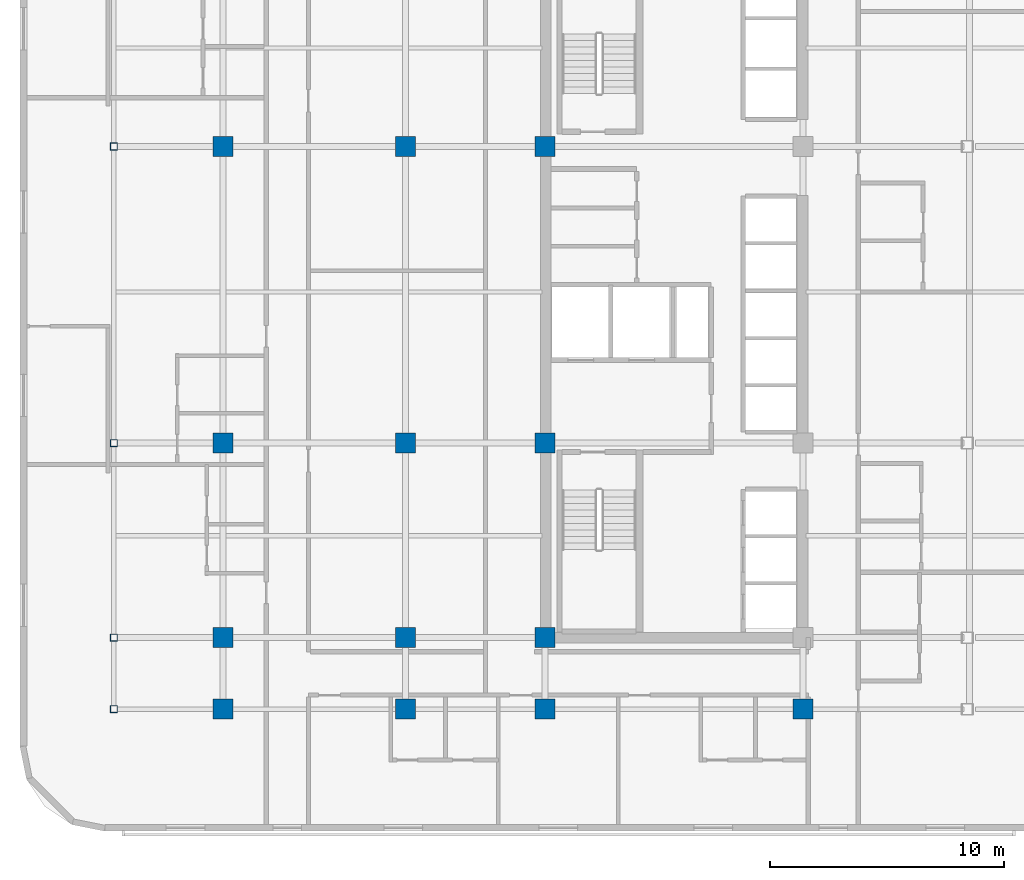
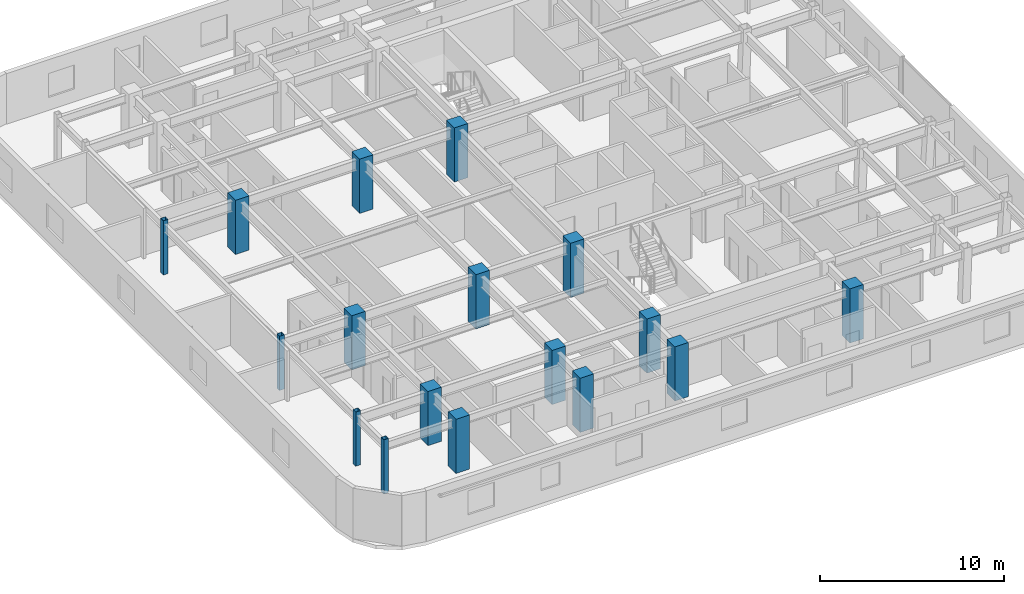
# One storey, part 1 of 15: 17 columns.
"""IFC4 building model written with IfcOpenShell, lengths in metres."""

from ifc_helpers import new_model, si_unit, direction, frame, origin, origin_2d, place, context, subcontext, project, spatial, rectangle, hollow_rectangle, extrude, material, material_profile, profile_set, type_object, element, save


model = new_model("IFC4")

# Units and contexts
model_context = context("Model", 3, precision=1e-05, world=origin(), true_north=direction((0.0, 1.0)))
body_context = subcontext(model_context, "Body", "Model", "MODEL_VIEW")
ifc_project = project(units=[si_unit("LENGTHUNIT", "METRE"), si_unit("AREAUNIT", "SQUARE_METRE"), si_unit("VOLUMEUNIT", "CUBIC_METRE"), si_unit("PLANEANGLEUNIT", "RADIAN"), si_unit("MASSUNIT", "GRAM", prefix="KILO")], contexts=[model_context])

# Site, building, storey
site_placement = place(None, origin())
site = spatial("IfcSite", under=ifc_project, at=site_placement, CompositionType="ELEMENT")
building_placement = place(site_placement, origin())
building = spatial("IfcBuilding", under=site, at=building_placement, Name="Ochreholt Gables", CompositionType="ELEMENT")
storey_placement = place(building_placement, frame((0.0, 0.0, 64.199951171875)))
storey = spatial("IfcBuildingStorey", under=building, at=storey_placement, Name="L16", CompositionType="ELEMENT", Elevation=64.199951171875)

# Columns
ifc_material_1 = material(Name="Steel CSA G40.21 350W", Category="steel")
ifc_material_profile_1 = material_profile(ifc_material_1, hollow_rectangle(XDim=0.304931640625, YDim=0.304931640625, WallThickness=0.0126953125, at=origin_2d()), Name="HSS305X305X13")
ifc_profile_set_1 = profile_set([ifc_material_profile_1], Name="Steel CSA G40.21 350W")
column_type_1 = type_object("IfcColumnType", Name="COL-HSS305-EXT", PredefinedType="COLUMN", material=ifc_profile_set_1)
for number, where, z_axis, x_axis, name in (
    (1, (5.800048828125, 6.199951171875, 0.0), (0.0, 0.0, 1.0), (1.0, 0.0, 0.0), "L16 Column WTY1"),
    (2, (5.800048828125, 9.25, 0.0), (0.0, 0.0, 1.0), (1.0, 0.0, 0.0), "L16 Column WTY2"),
    (3, (5.800048828125, 17.550048828125, 0.0), (0.0, 0.0, 1.0), (1.0, 0.0, 0.0), "L16 Column WTY3"),
    (4, (5.800048828125, 30.199951171875, 0.0), (0.0, 0.0, 1.0), (1.0, 0.0, 0.0), "L16 Column WTY4"),
):
    element("IfcColumn", number, at=place(storey_placement, frame(where, z_axis=z_axis, x_axis=x_axis)), inside=storey, type_object=column_type_1, Name=name, PredefinedType="COLUMN", context=body_context, shape_type="SweptSolid", body=[
        extrude(hollow_rectangle(XDim=0.304931640625, YDim=0.304931640625, WallThickness=0.0126953125, at=origin_2d()), origin(), (0.0, 0.0, 1.0), 3.60009765625),
    ])
ifc_material_2 = material(Name="Concrete 60 MPa", Category="concrete")
ifc_material_profile_2 = material_profile(ifc_material_2, rectangle(XDim=0.85009765625, YDim=0.85009765625, at=origin_2d()), Name="RC850X850")
ifc_profile_set_2 = profile_set([ifc_material_profile_2], Name="Concrete 60 MPa")
column_type_2 = type_object("IfcColumnType", Name="COL-RC850-EXT", PredefinedType="COLUMN", material=ifc_profile_set_2)
for number, where, z_axis, x_axis, name in (
    (5, (10.449951171875, 6.199951171875, 0.0), (0.0, 0.0, 1.0), (1.0, 0.0, 0.0), "L16 Column W2Y1"),
    (6, (18.25, 6.199951171875, 0.0), (0.0, 0.0, 1.0), (1.0, 0.0, 0.0), "L16 Column W3Y1"),
    (7, (24.199951171875, 6.199951171875, 0.0), (0.0, 0.0, 1.0), (1.0, 0.0, 0.0), "L16 Column C1Y1"),
    (8, (35.199951171875, 6.199951171875, 0.0), (0.0, 0.0, 1.0), (1.0, 0.0, 0.0), "L16 Column C2Y1"),
):
    element("IfcColumn", number, at=place(storey_placement, frame(where, z_axis=z_axis, x_axis=x_axis)), inside=storey, type_object=column_type_2, Name=name, PredefinedType="COLUMN", context=body_context, shape_type="SweptSolid", body=[
        extrude(rectangle(XDim=0.85009765625, YDim=0.85009765625, at=origin_2d()), origin(), (0.0, 0.0, 1.0), 3.60009765625),
    ])
ifc_material_profile_3 = material_profile(ifc_material_2, rectangle(XDim=0.85009765625, YDim=0.85009765625, at=origin_2d()), Name="RC850X850")
ifc_profile_set_3 = profile_set([ifc_material_profile_3], Name="Concrete 60 MPa")
column_type_3 = type_object("IfcColumnType", Name="COL-RC850-INT", PredefinedType="COLUMN", material=ifc_profile_set_3)
for number, where, z_axis, x_axis, name in (
    (9, (10.449951171875, 9.25, 0.0), (0.0, 0.0, 1.0), (1.0, 0.0, 0.0), "L16 Column W2Y2"),
    (10, (10.449951171875, 17.550048828125, 0.0), (0.0, 0.0, 1.0), (1.0, 0.0, 0.0), "L16 Column W2Y3"),
    (11, (10.449951171875, 30.199951171875, 0.0), (0.0, 0.0, 1.0), (1.0, 0.0, 0.0), "L16 Column W2Y4"),
    (12, (18.25, 9.25, 0.0), (0.0, 0.0, 1.0), (1.0, 0.0, 0.0), "L16 Column W3Y2"),
    (13, (18.25, 17.550048828125, 0.0), (0.0, 0.0, 1.0), (1.0, 0.0, 0.0), "L16 Column W3Y3"),
    (14, (18.25, 30.199951171875, 0.0), (0.0, 0.0, 1.0), (1.0, 0.0, 0.0), "L16 Column W3Y4"),
    (15, (24.199951171875, 9.25, 0.0), (0.0, 0.0, 1.0), (1.0, 0.0, 0.0), "L16 Column C1Y2"),
    (16, (24.199951171875, 17.550048828125, 0.0), (0.0, 0.0, 1.0), (1.0, 0.0, 0.0), "L16 Column C1Y3"),
    (17, (24.199951171875, 30.199951171875, 0.0), (0.0, 0.0, 1.0), (1.0, 0.0, 0.0), "L16 Column C1Y4"),
):
    element("IfcColumn", number, at=place(storey_placement, frame(where, z_axis=z_axis, x_axis=x_axis)), inside=storey, type_object=column_type_3, Name=name, PredefinedType="COLUMN", context=body_context, shape_type="SweptSolid", body=[
        extrude(rectangle(XDim=0.85009765625, YDim=0.85009765625, at=origin_2d()), origin(), (0.0, 0.0, 1.0), 3.60009765625),
    ])

save(model, "model.ifc")
